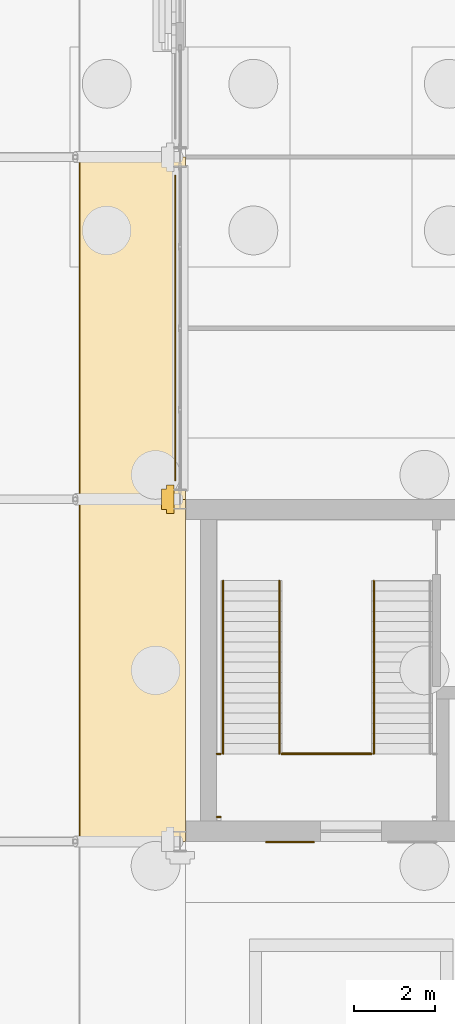
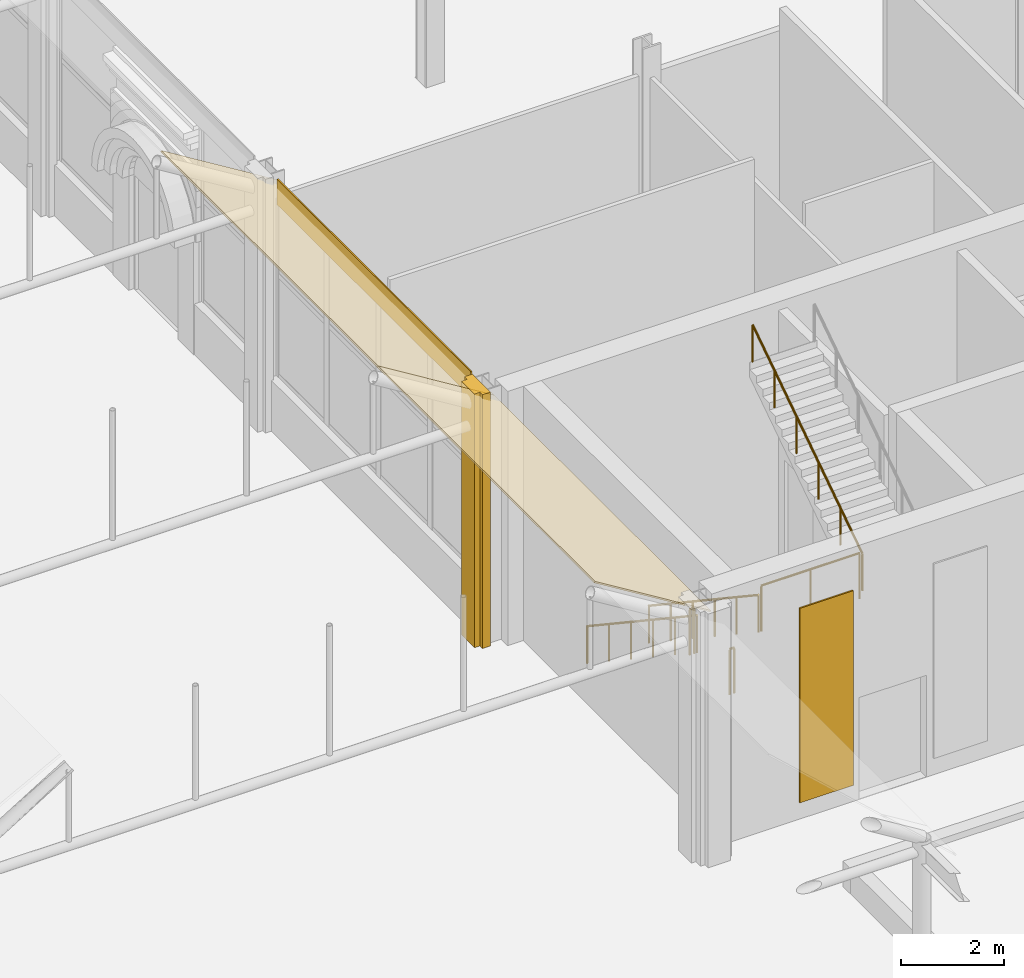
# One storey, part 200 of 212: 6 railings, 5 coverings.
"""IFC4 building model written with IfcOpenShell, lengths in metres."""

import ifcopenshell
import ifcopenshell.guid

model = None  # the IFC model being written
_history = None  # IfcOwnerHistory: only IFC2X3 demands one
_inside = {}  # id of a spatial element -> (the spatial element, [elements in it])
_under = {}  # id of a project, library or spatial element -> (it, [spatial elements below it])
_declared = {}  # id of a project -> (the project, [libraries it declares])
_typed = {}  # id of a type object -> (the type object, [elements of that type])
_made_of = {}  # id of a material, layer set ... -> (it, [elements and type objects made of it])


def new_model(schema):
    """Start an empty IFC model of exactly this schema.

    Asked for "IFC4X3", IfcOpenShell would pick the latest addendum, in which some entities
    have other attributes; the version numbers below select the first issue.
    IFC2X3 requires an IfcOwnerHistory on every rooted entity: one is made here for all.
    """
    global model, _history
    if schema == "IFC4X3":
        model = ifcopenshell.file(schema_version=(4, 3, 0, 0))
    else:
        model = ifcopenshell.file(schema=schema)
    _inside.clear()
    _under.clear()
    _declared.clear()
    _typed.clear()
    _made_of.clear()
    _history = None
    if model.schema == "IFC2X3":
        org = make("IfcOrganization", Name="unknown")
        user = make(
            "IfcPersonAndOrganization",
            ThePerson=make("IfcPerson", FamilyName="unknown"),
            TheOrganization=org,
        )
        app = make(
            "IfcApplication",
            ApplicationDeveloper=org,
            Version="unknown",
            ApplicationFullName="unknown",
            ApplicationIdentifier="unknown",
        )
        _history = make(
            "IfcOwnerHistory",
            OwningUser=user,
            OwningApplication=app,
            ChangeAction="ADDED",
            CreationDate=0,
        )
    return model


def make(cls, **values):
    """One entity of the class cls with the attributes given. An attribute that is None is left unset."""
    return model.create_entity(
        cls, **{name: value for name, value in values.items() if value is not None}
    )


def rooted(cls, **values):
    """An entity with a GlobalId (a new one), such as an element, a storey or a relation."""
    return make(cls, GlobalId=ifcopenshell.guid.new(), OwnerHistory=_history, **values)


def si_unit(unit_type, name, prefix=None):
    """IfcSIUnit, for example si_unit("LENGTHUNIT", "METRE", prefix="MILLI")."""
    return make("IfcSIUnit", UnitType=unit_type, Prefix=prefix, Name=name)


def assignment(units):
    """IfcUnitAssignment: the units of a project."""
    return None if units is None else make("IfcUnitAssignment", Units=units)


def point(xyz):
    """IfcCartesianPoint."""
    return None if xyz is None else make("IfcCartesianPoint", Coordinates=xyz)


def direction(xyz):
    """IfcDirection."""
    return None if xyz is None else make("IfcDirection", DirectionRatios=xyz)


def frame(location, z_axis=None, x_axis=None):
    """IfcAxis2Placement3D, a coordinate frame: its origin and axes. An axis left out is left unset."""
    return make(
        "IfcAxis2Placement3D",
        Location=point(location),
        Axis=direction(z_axis),
        RefDirection=direction(x_axis),
    )


def frame_2d(location, x_axis=None):
    """IfcAxis2Placement2D, a coordinate frame in the plane: its origin and x axis."""
    return make(
        "IfcAxis2Placement2D", Location=point(location), RefDirection=direction(x_axis)
    )


def origin():
    """The frame at (0, 0, 0) with its axes left unset."""
    return frame((0.0, 0.0, 0.0))


def origin_2d():
    """The frame at (0, 0) in the plane with its x axis left unset."""
    return frame_2d((0.0, 0.0))


def place(relative_to, where):
    """IfcLocalPlacement: puts the frame where relative to a parent placement (None: the world)."""
    return make(
        "IfcLocalPlacement", PlacementRelTo=relative_to, RelativePlacement=where
    )


def context(
    kind, dimensions, precision=None, world=None, true_north=None, identifier=None
):
    """IfcGeometricRepresentationContext, for example the 3D "Model" context."""
    return make(
        "IfcGeometricRepresentationContext",
        ContextIdentifier=identifier,
        ContextType=kind,
        CoordinateSpaceDimension=dimensions,
        Precision=precision,
        WorldCoordinateSystem=world,
        TrueNorth=true_north,
    )


def subcontext(parent, identifier, kind, view, scale=None):
    """IfcGeometricRepresentationSubContext, for example "Body" below "Model"."""
    return make(
        "IfcGeometricRepresentationSubContext",
        ContextIdentifier=identifier,
        ContextType=kind,
        ParentContext=parent,
        TargetScale=scale,
        TargetView=view,
    )


def project(units=None, contexts=None):
    """IfcProject with its units and contexts."""
    return rooted(
        "IfcProject",
        Name="project",
        RepresentationContexts=contexts,
        UnitsInContext=assignment(units),
    )


def spatial(cls, under=None, at=None, **own):
    """A site, building, storey or space (cls), placed at a placement, below another one or the project."""
    s = rooted(cls, ObjectPlacement=at, **own)
    if under is not None:
        _under.setdefault(under.id(), (under, []))[1].append(s)
    return s


def polyline(points):
    """IfcPolyline through the points."""
    return make("IfcPolyline", Points=[point(p) for p in points])


def profile(cls, at=None, kind="AREA", **sizes):
    """A parametric profile (cls). Its sizes go by their IFC names, for example OverallWidth=200.0."""
    return make(cls, ProfileType=kind, Position=at, **sizes)


def rectangle(**sizes):
    """IfcRectangleProfileDef."""
    return profile("IfcRectangleProfileDef", **sizes)


def circle(**sizes):
    """IfcCircleProfileDef."""
    return profile("IfcCircleProfileDef", **sizes)


def outline(outer, holes=None, kind="AREA"):
    """IfcArbitraryClosedProfileDef: a profile drawn as a closed curve; with holes, ...WithVoids."""
    if holes is None:
        return make("IfcArbitraryClosedProfileDef", ProfileType=kind, OuterCurve=outer)
    return make(
        "IfcArbitraryProfileDefWithVoids",
        ProfileType=kind,
        OuterCurve=outer,
        InnerCurves=holes,
    )


def extrude(swept, where, along, depth):
    """IfcExtrudedAreaSolid: the profile swept, set in the frame where, extruded along a direction by depth."""
    return make(
        "IfcExtrudedAreaSolid",
        SweptArea=swept,
        Position=where,
        ExtrudedDirection=direction(along),
        Depth=depth,
    )


def shape(context_of_items, identifier, shape_type, items):
    """IfcShapeRepresentation: the items that make up one representation, for example the "Body"."""
    return make(
        "IfcShapeRepresentation",
        ContextOfItems=context_of_items,
        RepresentationIdentifier=identifier,
        RepresentationType=shape_type,
        Items=items,
    )


def material(Name=None, Category=None):
    """IfcMaterial."""
    return make("IfcMaterial", Name=Name, Category=Category)


def layer(
    of_material, thickness, ventilated=None, Name=None, Category=None, Priority=None
):
    """IfcMaterialLayer: one layer of a wall or slab, of a material (None: an air gap)."""
    return make(
        "IfcMaterialLayer",
        Material=of_material,
        LayerThickness=thickness,
        IsVentilated=ventilated,
        Name=Name,
        Category=Category,
        Priority=Priority,
    )


def layer_set(layers, Name=None):
    """IfcMaterialLayerSet."""
    return make("IfcMaterialLayerSet", MaterialLayers=layers, LayerSetName=Name)


def made_of(thing, what):
    """Note that an element or type object is made of a material, layer set ...; save() writes the relation."""
    if what is not None:
        _made_of.setdefault(what.id(), (what, []))[1].append(thing)
    return thing


def type_object(cls, material=None, **own):
    """A type object (cls), such as IfcWallType, which elements share."""
    return made_of(rooted(cls, **own), material)


def element(
    cls,
    number,
    at=None,
    inside=None,
    cuts=None,
    type_object=None,
    material=None,
    context=None,
    identifier="Body",
    shape_type=None,
    held_by="IfcProductDefinitionShape",
    body=None,
    shapes=None,
    **own,
):
    """One element of the class cls, such as IfcWall. Its Tag is "e" and its number.

    at: its placement. inside: the storey or other place that contains it. cuts: it is an
    opening in that element (IfcRelVoidsElement). A single representation is given by context,
    identifier, shape_type and body (its items); several are given by shapes. held_by: the class
    of the entity that holds the representations. save() writes the other relations.
    """
    e = rooted(cls, Tag="e%d" % number, ObjectPlacement=at, **own)
    if body is not None:
        shapes = [shape(context, identifier, shape_type, body)]
    if shapes is not None:
        e.Representation = make(held_by, Representations=shapes)
    if inside is not None:
        _inside.setdefault(inside.id(), (inside, []))[1].append(e)
    if cuts is not None:
        rooted(
            "IfcRelVoidsElement", RelatingBuildingElement=cuts, RelatedOpeningElement=e
        )
    if type_object is not None:
        _typed.setdefault(type_object.id(), (type_object, []))[1].append(e)
    return made_of(e, material)


def aggregate(whole, parts):
    """IfcRelAggregates: a whole, such as a stair, and the parts it consists of."""
    return rooted("IfcRelAggregates", RelatingObject=whole, RelatedObjects=parts)


def save(model, path):
    """Write the relations noted so far, then the file.

    IfcRelAggregates (storeys below a building ...), IfcRelContainedInSpatialStructure (elements
    in a storey), IfcRelDefinesByType, IfcRelAssociatesMaterial and IfcRelDeclares: one each for
    every whole, place, type object, material and project.
    """
    for whole, parts in _under.values():
        aggregate(whole, parts)
    for where, things in _inside.values():
        rooted(
            "IfcRelContainedInSpatialStructure",
            RelatedElements=things,
            RelatingStructure=where,
        )
    for kind, things in _typed.values():
        rooted("IfcRelDefinesByType", RelatedObjects=things, RelatingType=kind)
    for what, things in _made_of.values():
        rooted("IfcRelAssociatesMaterial", RelatedObjects=things, RelatingMaterial=what)
    for by, libraries in _declared.values():
        rooted("IfcRelDeclares", RelatingContext=by, RelatedDefinitions=libraries)
    model.write(path)


model = new_model("IFC4")

# Units and contexts
model_context = context("Model", 3, precision=1e-05, world=origin(), true_north=direction((0.0, 1.0)))
body_context = subcontext(model_context, "Body", "Model", "MODEL_VIEW")
ifc_project = project(units=[si_unit("LENGTHUNIT", "METRE"), si_unit("AREAUNIT", "SQUARE_METRE"), si_unit("VOLUMEUNIT", "CUBIC_METRE"), si_unit("PLANEANGLEUNIT", "RADIAN"), si_unit("MASSUNIT", "GRAM", prefix="KILO")], contexts=[model_context])

# Site, building, storey
site_placement = place(None, origin())
site = spatial("IfcSite", under=ifc_project, at=site_placement, CompositionType="ELEMENT")
building_placement = place(site_placement, origin())
building = spatial("IfcBuilding", under=site, at=building_placement, Name="Catenary Quay Ferry Terminal", CompositionType="ELEMENT")
storey_placement = place(building_placement, origin())
storey = spatial("IfcBuildingStorey", under=building, at=storey_placement, Name="L00", CompositionType="ELEMENT", Elevation=0.0)

# Coverings
ifc_material_1 = material(Name="Ceramic tile")
ifc_layer_1 = layer(ifc_material_1, 0.0400390625)
ifc_layer_set_1 = layer_set([ifc_layer_1], Name="CL2")
covering_type_1 = type_object("IfcCoveringType", Name="CL2", PredefinedType="CLADDING", material=ifc_layer_set_1)
covering_1_placement = place(storey_placement, origin())
element("IfcCovering", 1, at=covering_1_placement, inside=storey, type_object=covering_type_1, Name="Ceramic pier casing", PredefinedType="CLADDING", context=body_context, shape_type="SweptSolid", body=[
    extrude(outline(polyline([(25.050048828125, 168.35009765625), (24.8701171875, 168.35009765625), (24.8701171875, 168.25), (24.75, 168.25), (24.75, 167.75), (24.8701171875, 167.75), (24.8701171875, 167.64990234375), (25.050048828125, 167.64990234375), (25.050048828125, 168.35009765625)])), origin(), (0.0, 0.0, 1.0), 6.0),
])
ifc_material_2 = material(Name="Ceramic tile")
ifc_layer_2 = layer(ifc_material_2, 0.034912109375)
ifc_layer_set_2 = layer_set([ifc_layer_2], Name="CL5")
covering_type_2 = type_object("IfcCoveringType", Name="CL5", PredefinedType="CLADDING", material=ifc_layer_set_2)
covering_2_placement = place(storey_placement, frame((27.89990234375, 159.58251953125, 0.39990234375), z_axis=(0.0, 0.0, 1.0), x_axis=(1.0, 0.0, 0.0)))
element("IfcCovering", 2, at=covering_2_placement, inside=storey, type_object=covering_type_2, Name="Core h159.6 cladding CV300", PredefinedType="CLADDING", context=body_context, shape_type="SweptSolid", body=[
    extrude(rectangle(XDim=1.199951171875, YDim=0.034912109375, at=origin_2d()), origin(), (0.0, 0.0, 1.0), 4.60009765625),
])
ifc_material_3 = material(Name="Glazed ceramic tile, ochre")
ifc_layer_3 = layer(ifc_material_3, 0.030029296875)
ifc_layer_set_3 = layer_set([ifc_layer_3], Name="CL6")
covering_type_3 = type_object("IfcCoveringType", Name="CL6", PredefinedType="CLADDING", material=ifc_layer_set_3)
covering_3_placement = place(storey_placement, frame((25.08056640625, 172.199951171875, 5.39990234375), z_axis=(0.0, 0.0, 1.0), x_axis=(1.0, 0.0, 0.0)))
element("IfcCovering", 3, at=covering_3_placement, inside=storey, type_object=covering_type_3, Name="Band wing v25.2 cladding CV296", PredefinedType="CLADDING", context=body_context, shape_type="SweptSolid", body=[
    extrude(rectangle(XDim=0.030029296875, YDim=7.5, at=origin_2d()), origin(), (0.0, 0.0, 1.0), 0.60009765625),
])

# Railings
ifc_material_4 = material(Name="Steel and glass", Category="steel")
railing_type_1 = type_object("IfcRailingType", Name="GI1", PredefinedType="GUARDRAIL", material=ifc_material_4)
railing_1_placement = place(storey_placement, frame((27.699951171875, 161.75, 3.0)))
element("IfcRailing", 4, at=railing_1_placement, inside=storey, type_object=railing_type_1, Name="HS2 landing guard GI125", PredefinedType="GUARDRAIL", context=body_context, shape_type="SweptSolid", body=[
    extrude(circle(Radius=0.02392578125, at=origin_2d()), frame((0.0, 0.0, 1.076171875), z_axis=(1.0, 0.0, 0.0), x_axis=(0.0, 1.0, 0.0)), (0.0, 0.0, 1.0), 2.199951171875),
    extrude(circle(Radius=0.02099609375, at=origin_2d()), origin(), (0.0, 0.0, 1.0), 1.052001953125),
    extrude(circle(Radius=0.02099609375, at=origin_2d()), frame((1.10009765625, 0.0, 0.0)), (0.0, 0.0, 1.0), 1.052001953125),
    extrude(circle(Radius=0.02099609375, at=origin_2d()), frame((2.199951171875, 0.0, 0.0)), (0.0, 0.0, 1.0), 1.052001953125),
])
railing_2_placement = place(storey_placement, frame((26.10009765625, 161.75, 3.0)))
element("IfcRailing", 5, at=railing_2_placement, inside=storey, type_object=railing_type_1, Name="HS2 strip 0 guard GI126", PredefinedType="GUARDRAIL", context=body_context, shape_type="SweptSolid", body=[
    extrude(circle(Radius=0.02392578125, at=origin_2d()), frame((0.0, 0.0, 1.076171875), z_axis=(1.0, 0.0, 0.0), x_axis=(0.0, 1.0, 0.0)), (0.0, 0.0, 1.0), 0.099853515625),
    extrude(circle(Radius=0.02099609375, at=origin_2d()), origin(), (0.0, 0.0, 1.0), 1.052001953125),
    extrude(circle(Radius=0.02099609375, at=origin_2d()), frame((0.099853515625, 0.0, 0.0)), (0.0, 0.0, 1.0), 1.052001953125),
])
railing_3_placement = place(storey_placement, frame((26.199951171875, 160.199951171875, 3.0)))
element("IfcRailing", 6, at=railing_3_placement, inside=storey, type_object=railing_type_1, Name="HS2 strip 0 guard GI127", PredefinedType="GUARDRAIL", context=body_context, shape_type="SweptSolid", body=[
    extrude(circle(Radius=0.02392578125, at=origin_2d()), frame((0.0, 0.0, 1.076171875), z_axis=(-1.0, 0.0, 0.0), x_axis=(0.0, -1.0, 0.0)), (0.0, 0.0, 1.0), 0.099853515625),
    extrude(circle(Radius=0.02099609375, at=origin_2d()), origin(), (0.0, 0.0, 1.0), 1.052001953125),
    extrude(circle(Radius=0.02099609375, at=origin_2d()), frame((-0.099853515625, 0.0, 0.0)), (0.0, 0.0, 1.0), 1.052001953125),
])
ifc_material_5 = material(Name="Stainless steel", Category="steel")
railing_type_2 = type_object("IfcRailingType", Name="HR1", PredefinedType="HANDRAIL", material=ifc_material_5)
for number, where, name in (
    (7, (26.260009765625, 166.0, 0.166748046875), "HS2 F1A handrail HR120"),
    (8, (27.639892578125, 166.0, 0.166748046875), "HS2 F1B handrail HR121"),
):
    element("IfcRailing", number, at=place(storey_placement, frame(where)), inside=storey, type_object=railing_type_2, Name=name, PredefinedType="HANDRAIL", context=body_context, shape_type="SweptSolid", body=[
        extrude(circle(Radius=0.02392578125, at=origin_2d()), frame((0.0, 0.0, 0.8759765625), z_axis=(0.0, -0.832057647715, 0.554689166001), x_axis=(1.0, 0.0, 0.0)), (0.0, 0.0, 1.0), 5.10791015625),
        extrude(circle(Radius=0.02099609375, at=origin_2d()), origin(), (0.0, 0.0, 1.0), 0.851806640625),
        extrude(circle(Radius=0.02099609375, at=origin_2d()), frame((0.0, -0.85009765625, 0.566650390625)), (0.0, 0.0, 1.0), 0.851806640625),
        extrude(circle(Radius=0.02099609375, at=origin_2d()), frame((0.0, -1.699951171875, 1.13330078125)), (0.0, 0.0, 1.0), 0.851806640625),
        extrude(circle(Radius=0.02099609375, at=origin_2d()), frame((0.0, -2.550048828125, 1.699951171875)), (0.0, 0.0, 1.0), 0.851806640625),
        extrude(circle(Radius=0.02099609375, at=origin_2d()), frame((0.0, -3.39990234375, 2.2666015625)), (0.0, 0.0, 1.0), 0.851806640625),
        extrude(circle(Radius=0.02099609375, at=origin_2d()), frame((0.0, -4.25, 2.833251953125)), (0.0, 0.0, 1.0), 0.851806640625),
    ])
railing_4_placement = place(storey_placement, frame((29.9599609375, 161.75, 3.166748046875)))
element("IfcRailing", 9, at=railing_4_placement, inside=storey, type_object=railing_type_2, Name="HS2 F2A handrail HR122", PredefinedType="HANDRAIL", context=body_context, shape_type="SweptSolid", body=[
    extrude(circle(Radius=0.02392578125, at=origin_2d()), frame((0.0, 0.0, 0.8759765625), z_axis=(0.0, 0.832057647715, 0.554689166001), x_axis=(-1.0, 0.0, 0.0)), (0.0, 0.0, 1.0), 5.10791015625),
    extrude(circle(Radius=0.02099609375, at=origin_2d()), origin(), (0.0, 0.0, 1.0), 0.851806640625),
    extrude(circle(Radius=0.02099609375, at=origin_2d()), frame((0.0, 0.85009765625, 0.566650390625)), (0.0, 0.0, 1.0), 0.851806640625),
    extrude(circle(Radius=0.02099609375, at=origin_2d()), frame((0.0, 1.699951171875, 1.13330078125)), (0.0, 0.0, 1.0), 0.851806640625),
    extrude(circle(Radius=0.02099609375, at=origin_2d()), frame((0.0, 2.550048828125, 1.699951171875)), (0.0, 0.0, 1.0), 0.851806640625),
    extrude(circle(Radius=0.02099609375, at=origin_2d()), frame((0.0, 3.39990234375, 2.2666015625)), (0.0, 0.0, 1.0), 0.851806640625),
    extrude(circle(Radius=0.02099609375, at=origin_2d()), frame((0.0, 4.25, 2.833251953125)), (0.0, 0.0, 1.0), 0.851806640625),
])

# Coverings
ifc_material_6 = material(Name="Laminated glass", Category="glass")
ifc_layer_4 = layer(ifc_material_6, 0.030029296875)
ifc_layer_set_4 = layer_set([ifc_layer_4], Name="RF2")
covering_type_4 = type_object("IfcCoveringType", Name="RF2", PredefinedType="ROOFING", material=ifc_layer_set_4)
for number, where, z_axis, x_axis, name in (
    (10, (22.74169921875, 159.60009765625, 7.2158203125), (0.524540171999, 0.0, 0.851385698705), (0.0, 1.0, 0.0), "Forecourt canopy roof"),
    (11, (22.74169921875, 168.0, 7.2158203125), (0.524540171999, 0.0, 0.851385698705), (0.0, 1.0, 0.0), "Forecourt canopy roof"),
):
    element("IfcCovering", number, at=place(storey_placement, frame(where, z_axis=z_axis, x_axis=x_axis)), inside=storey, type_object=covering_type_4, Name=name, PredefinedType="ROOFING", context=body_context, shape_type="SweptSolid", body=[
        extrude(outline(polyline([(0.0, 0.0), (8.39990234375, 0.0), (8.39990234375, -3.0453570472743348), (0.0, -3.0453570472743348), (0.0, 0.0)])), origin(), (0.0, 0.0, -1.0), 0.03515625),
    ])

save(model, "model.ifc")
